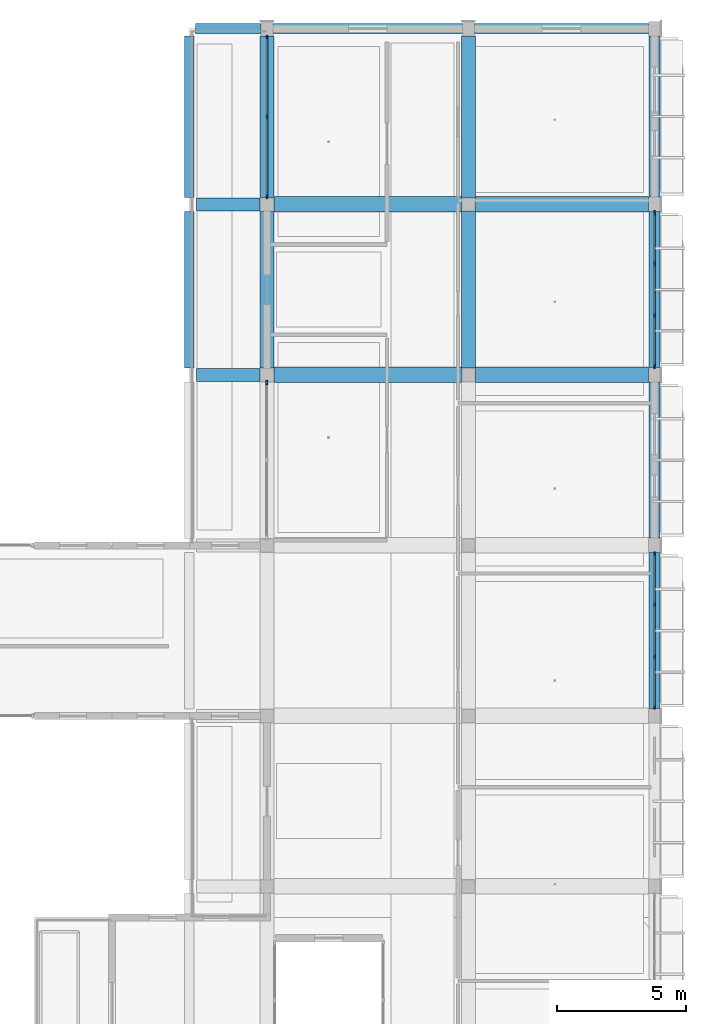
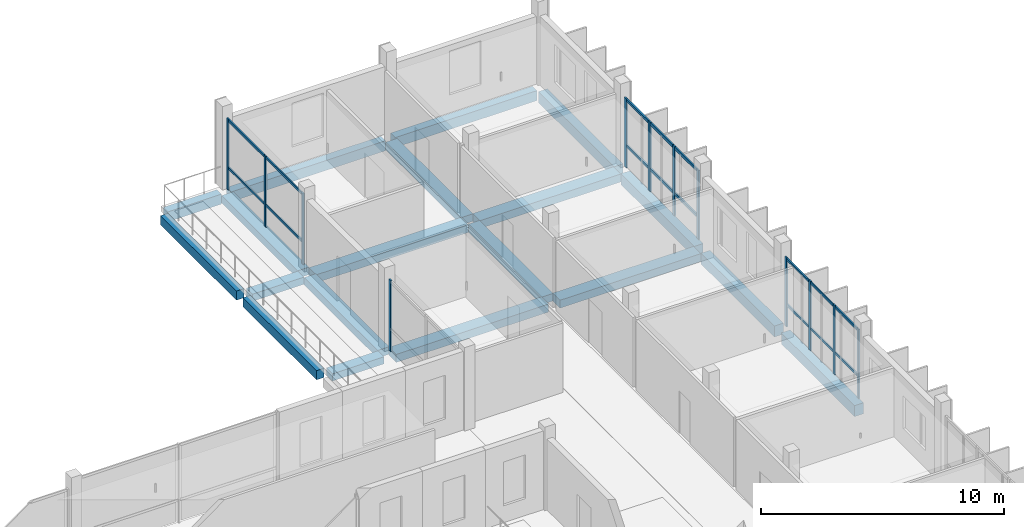
# One storey, part 28 of 85: 19 beams, 18 members, 4 elements without a shape of their own.
"""IFC4 building model written with IfcOpenShell, lengths in metres."""

from ifc_helpers import new_model, si_unit, derived_unit, direction, frame, origin, origin_2d, place, context, subcontext, project, spatial, rectangle, extrude, material, material_profile, profile_set, type_object, element, aggregate, save


model = new_model("IFC4")

# Units and contexts
model_context = context("Model", 3, precision=1e-05, world=origin(), true_north=direction((0.0, 1.0)))
body_context = subcontext(model_context, "Body", "Model", "MODEL_VIEW")
ifc_project = project(units=[si_unit("LENGTHUNIT", "METRE"), si_unit("AREAUNIT", "SQUARE_METRE"), si_unit("VOLUMEUNIT", "CUBIC_METRE"), si_unit("PLANEANGLEUNIT", "RADIAN"), si_unit("MASSUNIT", "GRAM", prefix="KILO"), derived_unit("THERMALTRANSMITTANCEUNIT", [(si_unit("POWERUNIT", "WATT"), 1), (si_unit("LENGTHUNIT", "METRE"), -2), (si_unit("THERMODYNAMICTEMPERATUREUNIT", "KELVIN"), -1)])], contexts=[model_context])

# Site, building, storey
site_placement = place(None, origin())
site = spatial("IfcSite", under=ifc_project, at=site_placement, CompositionType="ELEMENT")
building_placement = place(site_placement, origin())
building = spatial("IfcBuilding", under=site, at=building_placement, Name="Braskholm Square Health Centre", CompositionType="ELEMENT")
storey_placement = place(building_placement, frame((0.0, 0.0, 9.300048828125)))
storey = spatial("IfcBuildingStorey", under=building, at=storey_placement, Name="L03", CompositionType="ELEMENT", Elevation=9.300048828125)

# Curtain wall, members
ifc_material_1 = material(Name="Low-E triple insulating glass (VLT 0.64)", Category="glass")
curtain_wall_type = type_object("IfcCurtainWallType", Name="UnitisedCurtainWall6200x3650", PredefinedType="NOTDEFINED", material=ifc_material_1)
curtain_wall_1_placement = place(storey_placement, origin())
curtain_wall_1 = element("IfcCurtainWall", 1, at=curtain_wall_1_placement, inside=storey, type_object=curtain_wall_type, Name="East Outer unitised curtain wall CW-L03-0066", PredefinedType="NOTDEFINED")
ifc_material_2 = material(Name="Architectural bronze anodised aluminium", Category="aluminium")
ifc_material_profile_1 = material_profile(ifc_material_2, rectangle(XDim=0.06494140625, YDim=0.14990234375, at=origin_2d()), Name="ALU-65X150")
ifc_profile_set_1 = profile_set([ifc_material_profile_1], Name="Architectural bronze anodised aluminium")
member_type_1 = type_object("IfcMemberType", Name="CurtainWallMullion65x150", PredefinedType="MULLION", material=ifc_profile_set_1)
member_1_placement = place(storey_placement, frame((163.800048828125, 87.526123046875, 0.0), z_axis=(0.0, 0.0, 1.0), x_axis=(1.0, 0.0, 0.0)))
member_1 = element("IfcMember", 2, at=member_1_placement, type_object=member_type_1, Name="CW-L03-0066 vertical mullion 1", PredefinedType="MULLION", context=body_context, shape_type="SweptSolid", body=[
    extrude(rectangle(XDim=0.06494140625, YDim=0.14990234375, at=origin_2d()), origin(), (0.0, 0.0, 1.0), 3.47998046875),
])
member_2_placement = place(storey_placement, frame((163.800048828125, 89.49658203125, 0.0), z_axis=(0.0, 0.0, 1.0), x_axis=(1.0, 0.0, 0.0)))
member_2 = element("IfcMember", 3, at=member_2_placement, type_object=member_type_1, Name="CW-L03-0066 vertical mullion 2", PredefinedType="MULLION", context=body_context, shape_type="SweptSolid", body=[
    extrude(rectangle(XDim=0.06494140625, YDim=0.14990234375, at=origin_2d()), origin(), (0.0, 0.0, 1.0), 3.47998046875),
])
member_3_placement = place(storey_placement, frame((163.800048828125, 91.50341796875, 0.0), z_axis=(0.0, 0.0, 1.0), x_axis=(1.0, 0.0, 0.0)))
member_3 = element("IfcMember", 4, at=member_3_placement, type_object=member_type_1, Name="CW-L03-0066 vertical mullion 3", PredefinedType="MULLION", context=body_context, shape_type="SweptSolid", body=[
    extrude(rectangle(XDim=0.06494140625, YDim=0.14990234375, at=origin_2d()), origin(), (0.0, 0.0, 1.0), 3.47998046875),
])
member_4_placement = place(storey_placement, frame((163.800048828125, 93.473876953125, 0.0), z_axis=(0.0, 0.0, 1.0), x_axis=(1.0, 0.0, 0.0)))
member_4 = element("IfcMember", 5, at=member_4_placement, type_object=member_type_1, Name="CW-L03-0066 vertical mullion 4", PredefinedType="MULLION", context=body_context, shape_type="SweptSolid", body=[
    extrude(rectangle(XDim=0.06494140625, YDim=0.14990234375, at=origin_2d()), origin(), (0.0, 0.0, 1.0), 3.47998046875),
])

curtain_wall_2_placement = place(storey_placement, origin())
curtain_wall_2 = element("IfcCurtainWall", 6, at=curtain_wall_2_placement, inside=storey, type_object=curtain_wall_type, Name="East Valley unitised curtain wall CW-L03-0128", PredefinedType="NOTDEFINED")
member_5_placement = place(storey_placement, frame((148.800048828125, 113.472412109375, 0.0), z_axis=(0.0, 0.0, 1.0), x_axis=(1.0, 0.0, 0.0)))
member_5 = element("IfcMember", 7, at=member_5_placement, type_object=member_type_1, Name="CW-L03-0128 vertical mullion 1", PredefinedType="MULLION", context=body_context, shape_type="SweptSolid", body=[
    extrude(rectangle(XDim=0.06494140625, YDim=0.14990234375, at=origin_2d()), origin(), (0.0, 0.0, 1.0), 3.570068359375),
])
member_6_placement = place(storey_placement, frame((148.800048828125, 110.385009765625, 0.0), z_axis=(0.0, 0.0, 1.0), x_axis=(1.0, 0.0, 0.0)))
member_6 = element("IfcMember", 8, at=member_6_placement, type_object=member_type_1, Name="CW-L03-0128 vertical mullion 2", PredefinedType="MULLION", context=body_context, shape_type="SweptSolid", body=[
    extrude(rectangle(XDim=0.06494140625, YDim=0.14990234375, at=origin_2d()), origin(), (0.0, 0.0, 1.0), 3.570068359375),
])
member_7_placement = place(storey_placement, frame((148.800048828125, 107.297607421875, 0.0), z_axis=(0.0, 0.0, 1.0), x_axis=(1.0, 0.0, 0.0)))
member_7 = element("IfcMember", 9, at=member_7_placement, type_object=member_type_1, Name="CW-L03-0128 vertical mullion 3", PredefinedType="MULLION", context=body_context, shape_type="SweptSolid", body=[
    extrude(rectangle(XDim=0.06494140625, YDim=0.14990234375, at=origin_2d()), origin(), (0.0, 0.0, 1.0), 3.570068359375),
])

curtain_wall_3_placement = place(storey_placement, origin())
curtain_wall_3 = element("IfcCurtainWall", 10, at=curtain_wall_3_placement, inside=storey, type_object=curtain_wall_type, Name="East Outer unitised curtain wall CW-L03-0067", PredefinedType="NOTDEFINED")
ifc_material_profile_2 = material_profile(ifc_material_2, rectangle(XDim=0.074951171875, YDim=0.179931640625, at=origin_2d()), Name="ALU-75X180")
ifc_profile_set_2 = profile_set([ifc_material_profile_2], Name="Architectural bronze anodised aluminium")
member_type_2 = type_object("IfcMemberType", Name="CurtainWallMullion75x180", PredefinedType="MULLION", material=ifc_profile_set_2)
member_8_placement = place(storey_placement, frame((163.800048828125, 100.72607421875, 0.0), z_axis=(0.0, 0.0, 1.0), x_axis=(1.0, 0.0, 0.0)))
member_8 = element("IfcMember", 11, at=member_8_placement, type_object=member_type_2, Name="CW-L03-0067 vertical mullion 1", PredefinedType="MULLION", context=body_context, shape_type="SweptSolid", body=[
    extrude(rectangle(XDim=0.074951171875, YDim=0.179931640625, at=origin_2d()), origin(), (0.0, 0.0, 1.0), 3.47998046875),
])
member_9_placement = place(storey_placement, frame((163.800048828125, 102.69677734375, 0.0), z_axis=(0.0, 0.0, 1.0), x_axis=(1.0, 0.0, 0.0)))
member_9 = element("IfcMember", 12, at=member_9_placement, type_object=member_type_2, Name="CW-L03-0067 vertical mullion 2", PredefinedType="MULLION", context=body_context, shape_type="SweptSolid", body=[
    extrude(rectangle(XDim=0.074951171875, YDim=0.179931640625, at=origin_2d()), origin(), (0.0, 0.0, 1.0), 3.47998046875),
])
member_10_placement = place(storey_placement, frame((163.800048828125, 104.703369140625, 0.0), z_axis=(0.0, 0.0, 1.0), x_axis=(1.0, 0.0, 0.0)))
member_10 = element("IfcMember", 13, at=member_10_placement, type_object=member_type_2, Name="CW-L03-0067 vertical mullion 3", PredefinedType="MULLION", context=body_context, shape_type="SweptSolid", body=[
    extrude(rectangle(XDim=0.074951171875, YDim=0.179931640625, at=origin_2d()), origin(), (0.0, 0.0, 1.0), 3.47998046875),
])
member_11_placement = place(storey_placement, frame((163.800048828125, 106.673828125, 0.0), z_axis=(0.0, 0.0, 1.0), x_axis=(1.0, 0.0, 0.0)))
member_11 = element("IfcMember", 14, at=member_11_placement, type_object=member_type_2, Name="CW-L03-0067 vertical mullion 4", PredefinedType="MULLION", context=body_context, shape_type="SweptSolid", body=[
    extrude(rectangle(XDim=0.074951171875, YDim=0.179931640625, at=origin_2d()), origin(), (0.0, 0.0, 1.0), 3.47998046875),
])

# Curtain wall, member
curtain_wall_4_placement = place(storey_placement, origin())
curtain_wall_4 = element("IfcCurtainWall", 15, at=curtain_wall_4_placement, inside=storey, type_object=curtain_wall_type, Name="East Valley unitised curtain wall CW-L03-0127", PredefinedType="NOTDEFINED")
member_12_placement = place(storey_placement, frame((148.800048828125, 100.103515625, 0.0), z_axis=(0.0, 0.0, 1.0), x_axis=(1.0, 0.0, 0.0)))
member_12 = element("IfcMember", 16, at=member_12_placement, type_object=member_type_2, Name="CW-L03-0127 vertical mullion 1", PredefinedType="MULLION", context=body_context, shape_type="SweptSolid", body=[
    extrude(rectangle(XDim=0.074951171875, YDim=0.179931640625, at=origin_2d()), origin(), (0.0, 0.0, 1.0), 3.570068359375),
])
aggregate(curtain_wall_4, [member_12])

# Member
ifc_material_profile_3 = material_profile(ifc_material_2, rectangle(XDim=0.06494140625, YDim=0.1201171875, at=origin_2d()), Name="ALU-65X120")
ifc_profile_set_3 = profile_set([ifc_material_profile_3], Name="Architectural bronze anodised aluminium")
member_type_3 = type_object("IfcMemberType", Name="CurtainWallTransom65x120", PredefinedType="USERDEFINED", material=ifc_profile_set_3)
member_13_placement = place(storey_placement, frame((163.800048828125, 87.534912109375, 1.119873046875), z_axis=(0.0, 1.0, 0.0), x_axis=(-1.0, 0.0, 0.0)))
member_13 = element("IfcMember", 17, at=member_13_placement, type_object=member_type_3, Name="CW-L03-0066 horizontal transom 1", ObjectType="TRANSOM", PredefinedType="USERDEFINED", context=body_context, shape_type="SweptSolid", body=[
    extrude(rectangle(XDim=0.06494140625, YDim=0.1201171875, at=origin_2d()), origin(), (0.0, 0.0, 1.0), 5.93017578125),
])

member_14_placement = place(storey_placement, frame((163.800048828125, 87.534912109375, 3.409912109375), z_axis=(0.0, 1.0, 0.0), x_axis=(-1.0, 0.0, 0.0)))
member_14 = element("IfcMember", 18, at=member_14_placement, type_object=member_type_3, Name="CW-L03-0066 horizontal transom 2", ObjectType="TRANSOM", PredefinedType="USERDEFINED", context=body_context, shape_type="SweptSolid", body=[
    extrude(rectangle(XDim=0.06494140625, YDim=0.1201171875, at=origin_2d()), origin(), (0.0, 0.0, 1.0), 5.93017578125),
])

aggregate(curtain_wall_1, [member_1, member_2, member_3, member_4, member_13, member_14])

member_15_placement = place(storey_placement, frame((148.800048828125, 113.465087890625, 1.119873046875), z_axis=(0.0, -1.0, 0.0), x_axis=(1.0, 0.0, 0.0)))
member_15 = element("IfcMember", 19, at=member_15_placement, type_object=member_type_3, Name="CW-L03-0128 horizontal transom 1", ObjectType="TRANSOM", PredefinedType="USERDEFINED", context=body_context, shape_type="SweptSolid", body=[
    extrude(rectangle(XDim=0.06494140625, YDim=0.1201171875, at=origin_2d()), origin(), (0.0, 0.0, 1.0), 6.16015625),
])

member_16_placement = place(storey_placement, frame((148.800048828125, 113.465087890625, 3.5), z_axis=(0.0, -1.0, 0.0), x_axis=(1.0, 0.0, 0.0)))
member_16 = element("IfcMember", 20, at=member_16_placement, type_object=member_type_3, Name="CW-L03-0128 horizontal transom 2", ObjectType="TRANSOM", PredefinedType="USERDEFINED", context=body_context, shape_type="SweptSolid", body=[
    extrude(rectangle(XDim=0.06494140625, YDim=0.1201171875, at=origin_2d()), origin(), (0.0, 0.0, 1.0), 6.16015625),
])

aggregate(curtain_wall_2, [member_5, member_6, member_7, member_15, member_16])

ifc_material_profile_4 = material_profile(ifc_material_2, rectangle(XDim=0.074951171875, YDim=0.139892578125, at=origin_2d()), Name="ALU-75X140")
ifc_profile_set_4 = profile_set([ifc_material_profile_4], Name="Architectural bronze anodised aluminium")
member_type_4 = type_object("IfcMemberType", Name="CurtainWallTransom75x140", PredefinedType="USERDEFINED", material=ifc_profile_set_4)
member_17_placement = place(storey_placement, frame((163.800048828125, 100.735107421875, 1.119873046875), z_axis=(0.0, 1.0, 0.0), x_axis=(-1.0, 0.0, 0.0)))
member_17 = element("IfcMember", 21, at=member_17_placement, type_object=member_type_4, Name="CW-L03-0067 horizontal transom 1", ObjectType="TRANSOM", PredefinedType="USERDEFINED", context=body_context, shape_type="SweptSolid", body=[
    extrude(rectangle(XDim=0.074951171875, YDim=0.139892578125, at=origin_2d()), origin(), (0.0, 0.0, 1.0), 5.929931640625),
])

member_18_placement = place(storey_placement, frame((163.800048828125, 100.735107421875, 3.409912109375), z_axis=(0.0, 1.0, 0.0), x_axis=(-1.0, 0.0, 0.0)))
member_18 = element("IfcMember", 22, at=member_18_placement, type_object=member_type_4, Name="CW-L03-0067 horizontal transom 2", ObjectType="TRANSOM", PredefinedType="USERDEFINED", context=body_context, shape_type="SweptSolid", body=[
    extrude(rectangle(XDim=0.074951171875, YDim=0.139892578125, at=origin_2d()), origin(), (0.0, 0.0, 1.0), 5.929931640625),
])

aggregate(curtain_wall_3, [member_8, member_9, member_10, member_11, member_17, member_18])

# Beams
ifc_material_3 = material(Name="Concrete C35/45 (f'c = 35 MPa)", Category="concrete")
ifc_material_profile_5 = material_profile(ifc_material_3, rectangle(XDim=0.5, YDim=0.360107421875, at=origin_2d()), Name="RCB-500X360")
ifc_profile_set_5 = profile_set([ifc_material_profile_5], Name="Concrete C35/45 (f'c = 35 MPa)")
beam_type_1 = type_object("IfcBeamType", Name="PrimaryBandBeam500x360", PredefinedType="BEAM", material=ifc_profile_set_5)
for number, where, z_axis, x_axis, name in (
    (23, (146.074951171875, 100.39990234375, -0.429931640625), (1.0, 0.0, 0.0), (0.0, 1.0, 0.0), "Beam 19-20/Q L03"),
    (24, (146.074951171875, 107.0, -0.429931640625), (1.0, 0.0, 0.0), (0.0, 1.0, 0.0), "Beam 19-20/R L03"),
):
    element("IfcBeam", number, at=place(storey_placement, frame(where, z_axis=z_axis, x_axis=x_axis)), inside=storey, type_object=beam_type_1, Name=name, PredefinedType="BEAM", context=body_context, shape_type="SweptSolid", body=[
        extrude(rectangle(XDim=0.5, YDim=0.360107421875, at=origin_2d()), origin(), (0.0, 0.0, 1.0), 2.449951171875),
    ])
ifc_material_profile_6 = material_profile(ifc_material_3, rectangle(XDim=0.550048828125, YDim=0.3798828125, at=origin_2d()), Name="RCB-550X380")
ifc_profile_set_6 = profile_set([ifc_material_profile_6], Name="Concrete C35/45 (f'c = 35 MPa)")
beam_type_2 = type_object("IfcBeamType", Name="PrimaryBandBeam550x380", PredefinedType="BEAM", material=ifc_profile_set_6)
beam_1_placement = place(storey_placement, frame((148.800048828125, 100.675048828125, -0.43994140625), z_axis=(0.0, 1.0, 0.0), x_axis=(-1.0, 0.0, 0.0)))
element("IfcBeam", 25, at=beam_1_placement, inside=storey, type_object=beam_type_2, Name="Beam 20/Q-R L03", PredefinedType="BEAM", context=body_context, shape_type="SweptSolid", body=[
    extrude(rectangle(XDim=0.550048828125, YDim=0.3798828125, at=origin_2d()), origin(), (0.0, 0.0, 1.0), 6.050048828125),
])
beam_2_placement = place(storey_placement, frame((148.800048828125, 107.27490234375, -0.43994140625), z_axis=(0.0, 1.0, 0.0), x_axis=(-1.0, 0.0, 0.0)))
element("IfcBeam", 26, at=beam_2_placement, inside=storey, type_object=beam_type_2, Name="Beam 20/R-S L03", PredefinedType="BEAM", context=body_context, shape_type="SweptSolid", body=[
    extrude(rectangle(XDim=0.550048828125, YDim=0.3798828125, at=origin_2d()), origin(), (0.0, 0.0, 1.0), 6.2451171875),
])
beam_3_placement = place(storey_placement, frame((156.60009765625, 100.675048828125, -0.489990234375), z_axis=(0.0, 1.0, 0.0), x_axis=(-1.0, 0.0, 0.0)))
element("IfcBeam", 27, at=beam_3_placement, inside=storey, type_object=beam_type_2, Name="Beam 21/Q-R L03", PredefinedType="BEAM", context=body_context, shape_type="SweptSolid", body=[
    extrude(rectangle(XDim=0.550048828125, YDim=0.3798828125, at=origin_2d()), origin(), (0.0, 0.0, 1.0), 6.050048828125),
])
beam_4_placement = place(storey_placement, frame((156.60009765625, 107.27490234375, -0.489990234375), z_axis=(0.0, 1.0, 0.0), x_axis=(-1.0, 0.0, 0.0)))
element("IfcBeam", 28, at=beam_4_placement, inside=storey, type_object=beam_type_2, Name="Beam 21/R-S L03", PredefinedType="BEAM", context=body_context, shape_type="SweptSolid", body=[
    extrude(rectangle(XDim=0.550048828125, YDim=0.3798828125, at=origin_2d()), origin(), (0.0, 0.0, 1.0), 6.2451171875),
])
ifc_material_profile_7 = material_profile(ifc_material_3, rectangle(XDim=0.60009765625, YDim=0.39990234375, at=origin_2d()), Name="RCB-600X400")
ifc_profile_set_7 = profile_set([ifc_material_profile_7], Name="Concrete C35/45 (f'c = 35 MPa)")
beam_type_3 = type_object("IfcBeamType", Name="PrimaryBandBeam600x400", PredefinedType="BEAM", material=ifc_profile_set_7)
beam_5_placement = place(storey_placement, frame((149.074951171875, 100.39990234375, -0.5), z_axis=(1.0, 0.0, 0.0), x_axis=(0.0, 1.0, 0.0)))
element("IfcBeam", 29, at=beam_5_placement, inside=storey, type_object=beam_type_3, Name="Beam 20-21/Q L03", PredefinedType="BEAM", context=body_context, shape_type="SweptSolid", body=[
    extrude(rectangle(XDim=0.60009765625, YDim=0.39990234375, at=origin_2d()), origin(), (0.0, 0.0, 1.0), 7.25),
])
beam_6_placement = place(storey_placement, frame((156.875, 100.39990234375, -0.5), z_axis=(1.0, 0.0, 0.0), x_axis=(0.0, 1.0, 0.0)))
element("IfcBeam", 30, at=beam_6_placement, inside=storey, type_object=beam_type_3, Name="Beam 21-22/Q L03", PredefinedType="BEAM", context=body_context, shape_type="SweptSolid", body=[
    extrude(rectangle(XDim=0.60009765625, YDim=0.39990234375, at=origin_2d()), origin(), (0.0, 0.0, 1.0), 6.695068359375),
])
beam_7_placement = place(storey_placement, frame((149.074951171875, 107.0, -0.5), z_axis=(1.0, 0.0, 0.0), x_axis=(0.0, 1.0, 0.0)))
element("IfcBeam", 31, at=beam_7_placement, inside=storey, type_object=beam_type_3, Name="Beam 20-21/R L03", PredefinedType="BEAM", context=body_context, shape_type="SweptSolid", body=[
    extrude(rectangle(XDim=0.60009765625, YDim=0.39990234375, at=origin_2d()), origin(), (0.0, 0.0, 1.0), 7.25),
])
beam_8_placement = place(storey_placement, frame((156.875, 107.0, -0.5), z_axis=(1.0, 0.0, 0.0), x_axis=(0.0, 1.0, 0.0)))
element("IfcBeam", 32, at=beam_8_placement, inside=storey, type_object=beam_type_3, Name="Beam 21-22/R L03", PredefinedType="BEAM", context=body_context, shape_type="SweptSolid", body=[
    extrude(rectangle(XDim=0.60009765625, YDim=0.39990234375, at=origin_2d()), origin(), (0.0, 0.0, 1.0), 6.695068359375),
])
ifc_material_4 = material(Name="Precast concrete C40/50 architectural white", Category="concrete")
ifc_material_profile_8 = material_profile(ifc_material_4, rectangle(XDim=0.3798828125, YDim=0.5, at=origin_2d()), Name="RCB-380X500")
ifc_profile_set_8 = profile_set([ifc_material_profile_8], Name="Precast concrete C40/50 architectural white")
beam_type_4 = type_object("IfcBeamType", Name="SpandrelPrecastEdge380x500", PredefinedType="SPANDREL", material=ifc_profile_set_8)
beam_9_placement = place(storey_placement, frame((146.030029296875, 113.800048828125, -0.5), z_axis=(1.0, 0.0, 0.0), x_axis=(0.0, 1.0, 0.0)))
element("IfcBeam", 33, at=beam_9_placement, inside=storey, type_object=beam_type_4, Name="Beam 19-20/S L03", PredefinedType="SPANDREL", context=body_context, shape_type="SweptSolid", body=[
    extrude(rectangle(XDim=0.3798828125, YDim=0.5, at=origin_2d()), origin(), (0.0, 0.0, 1.0), 2.5400390625),
])
beam_10_placement = place(storey_placement, frame((149.030029296875, 113.800048828125, -0.550048828125), z_axis=(1.0, 0.0, 0.0), x_axis=(0.0, 1.0, 0.0)))
element("IfcBeam", 34, at=beam_10_placement, inside=storey, type_object=beam_type_4, Name="Beam 20-21/S L03", PredefinedType="SPANDREL", context=body_context, shape_type="SweptSolid", body=[
    extrude(rectangle(XDim=0.3798828125, YDim=0.5, at=origin_2d()), origin(), (0.0, 0.0, 1.0), 7.340087890625),
])
beam_11_placement = place(storey_placement, frame((156.830078125, 113.800048828125, -0.550048828125), z_axis=(1.0, 0.0, 0.0), x_axis=(0.0, 1.0, 0.0)))
element("IfcBeam", 35, at=beam_11_placement, inside=storey, type_object=beam_type_4, Name="Beam 21-22/S L03", PredefinedType="SPANDREL", context=body_context, shape_type="SweptSolid", body=[
    extrude(rectangle(XDim=0.3798828125, YDim=0.5, at=origin_2d()), origin(), (0.0, 0.0, 1.0), 6.739990234375),
])
ifc_material_profile_9 = material_profile(ifc_material_4, rectangle(XDim=0.419921875, YDim=0.550048828125, at=origin_2d()), Name="RCB-420X550")
ifc_profile_set_9 = profile_set([ifc_material_profile_9], Name="Precast concrete C40/50 architectural white")
beam_type_5 = type_object("IfcBeamType", Name="SpandrelPrecastLedge420x550", PredefinedType="SPANDREL", material=ifc_profile_set_9)
for number, where, z_axis, x_axis, name in (
    (36, (163.800048828125, 87.47998046875, -0.574951171875), (0.0, 1.0, 0.0), (-1.0, 0.0, 0.0), "Beam 22/N-P L03"),
    (37, (163.800048828125, 94.080078125, -0.574951171875), (0.0, 1.0, 0.0), (-1.0, 0.0, 0.0), "Beam 22/P-Q L03"),
    (38, (163.800048828125, 100.679931640625, -0.574951171875), (0.0, 1.0, 0.0), (-1.0, 0.0, 0.0), "Beam 22/Q-R L03"),
):
    element("IfcBeam", number, at=place(storey_placement, frame(where, z_axis=z_axis, x_axis=x_axis)), inside=storey, type_object=beam_type_5, Name=name, PredefinedType="SPANDREL", context=body_context, shape_type="SweptSolid", body=[
        extrude(rectangle(XDim=0.419921875, YDim=0.550048828125, at=origin_2d()), origin(), (0.0, 0.0, 1.0), 6.0400390625),
    ])
beam_12_placement = place(storey_placement, frame((163.800048828125, 107.280029296875, -0.574951171875), z_axis=(0.0, 1.0, 0.0), x_axis=(-1.0, 0.0, 0.0)))
element("IfcBeam", 39, at=beam_12_placement, inside=storey, type_object=beam_type_5, Name="Beam 22/R-S L03", PredefinedType="SPANDREL", context=body_context, shape_type="SweptSolid", body=[
    extrude(rectangle(XDim=0.419921875, YDim=0.550048828125, at=origin_2d()), origin(), (0.0, 0.0, 1.0), 6.239990234375),
])
ifc_material_profile_10 = material_profile(ifc_material_4, rectangle(XDim=0.360107421875, YDim=0.4599609375, at=origin_2d()), Name="RCB-360X460")
ifc_profile_set_10 = profile_set([ifc_material_profile_10], Name="Precast concrete C40/50 architectural white")
beam_type_6 = type_object("IfcBeamType", Name="SpandrelTerraceEdge360x460", PredefinedType="SPANDREL", material=ifc_profile_set_10)
beam_13_placement = place(storey_placement, frame((145.800048828125, 100.675048828125, -0.47998046875), z_axis=(0.0, 1.0, 0.0), x_axis=(-1.0, 0.0, 0.0)))
element("IfcBeam", 40, at=beam_13_placement, inside=storey, type_object=beam_type_6, Name="Beam 19/Q-R L03", PredefinedType="SPANDREL", context=body_context, shape_type="SweptSolid", body=[
    extrude(rectangle(XDim=0.360107421875, YDim=0.4599609375, at=origin_2d()), origin(), (0.0, 0.0, 1.0), 6.050048828125),
])
beam_14_placement = place(storey_placement, frame((145.800048828125, 107.27490234375, -0.47998046875), z_axis=(0.0, 1.0, 0.0), x_axis=(-1.0, 0.0, 0.0)))
element("IfcBeam", 41, at=beam_14_placement, inside=storey, type_object=beam_type_6, Name="Beam 19/R-S L03", PredefinedType="SPANDREL", context=body_context, shape_type="SweptSolid", body=[
    extrude(rectangle(XDim=0.360107421875, YDim=0.4599609375, at=origin_2d()), origin(), (0.0, 0.0, 1.0), 6.2451171875),
])

save(model, "model.ifc")
